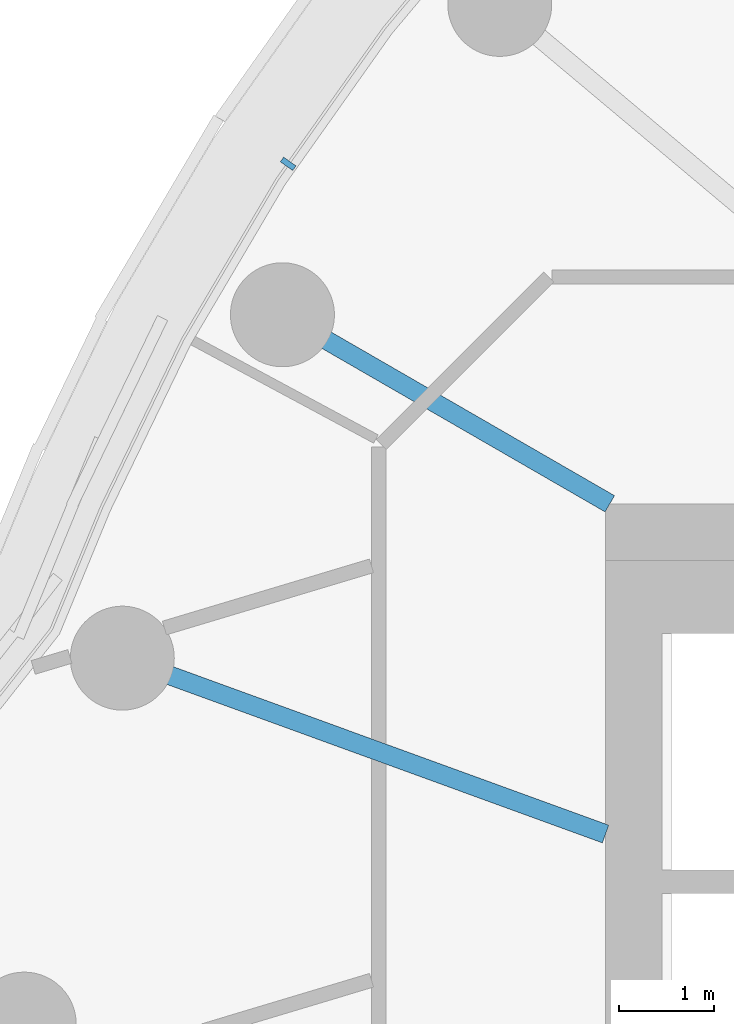
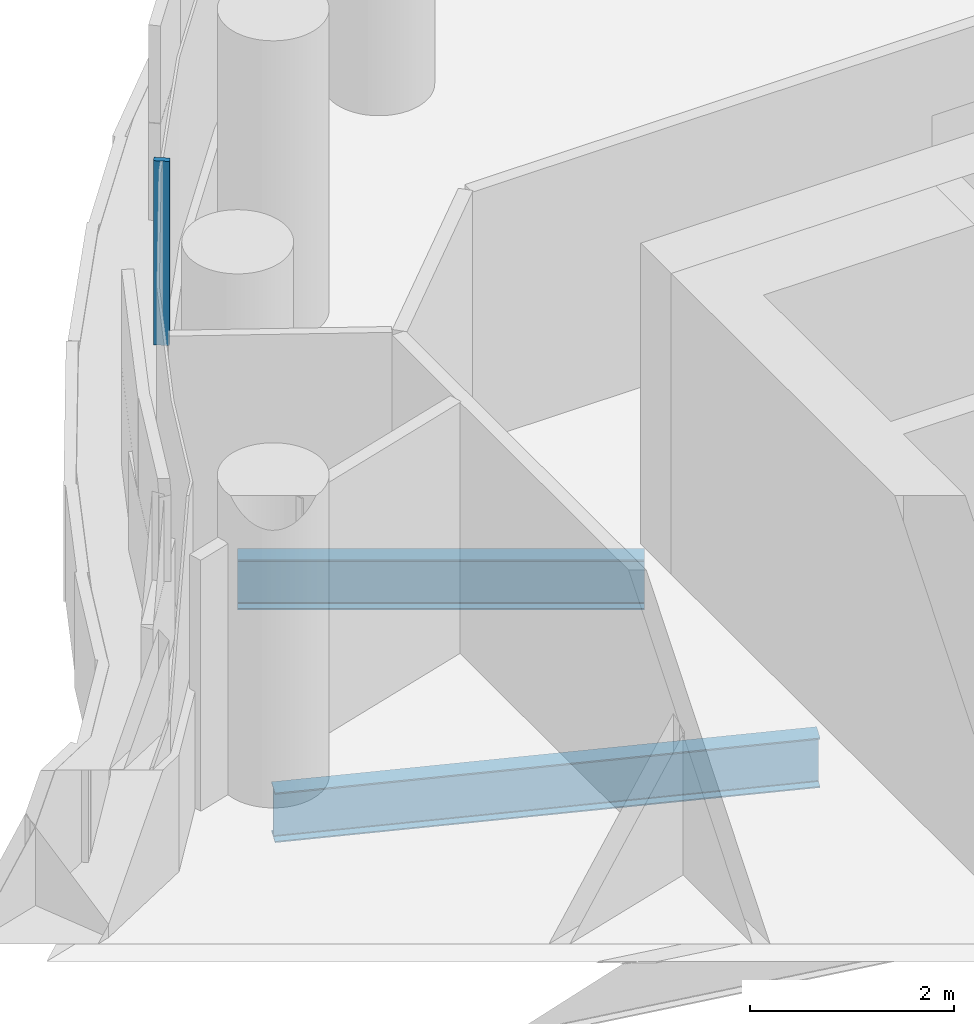
# One storey, part 7 of 32: 2 beams, 1 member, 1 element without a shape of its own.
"""IFC4 building model written with IfcOpenShell, lengths in metres."""

from ifc_helpers import new_model, si_unit, direction, frame, origin, origin_2d, place, context, subcontext, project, spatial, rectangle, i_section, extrude, material, layer, layer_set, material_profile, profile_set, type_object, element, aggregate, save


model = new_model("IFC4")

# Units and contexts
model_context = context("Model", 3, precision=1e-05, world=origin(), true_north=direction((0.0, 1.0)))
body_context = subcontext(model_context, "Body", "Model", "MODEL_VIEW")
ifc_project = project(units=[si_unit("LENGTHUNIT", "METRE"), si_unit("AREAUNIT", "SQUARE_METRE"), si_unit("VOLUMEUNIT", "CUBIC_METRE"), si_unit("PLANEANGLEUNIT", "RADIAN"), si_unit("MASSUNIT", "GRAM", prefix="KILO")], contexts=[model_context])

# Site, building, storey
site_placement = place(None, origin())
site = spatial("IfcSite", under=ifc_project, at=site_placement, CompositionType="ELEMENT")
building_placement = place(site_placement, origin())
building = spatial("IfcBuilding", under=site, at=building_placement, Name="Tamarind Cross Interchange Tower", CompositionType="ELEMENT")
storey_placement = place(building_placement, frame((0.0, 0.0, 94.75)))
storey = spatial("IfcBuildingStorey", under=building, at=storey_placement, Name="L22", CompositionType="ELEMENT", Elevation=94.75)

# Beams
ifc_material_1 = material(Name="Steel Q355B", Category="steel")
ifc_material_profile_1 = material_profile(ifc_material_1, i_section(OverallWidth=0.198974609375, OverallDepth=0.595947265625, WebThickness=0.010009765625, FlangeThickness=0.014892578125, FilletRadius=0.012939453125, at=origin_2d()), Name="HN 596x199x10x15")
ifc_profile_set_1 = profile_set([ifc_material_profile_1], Name="Steel Q355B")
beam_type = type_object("IfcBeamType", Name="Composite beam HN 596x199x10x15 Q355B", PredefinedType="BEAM", material=ifc_profile_set_1)
beam_1_placement = place(storey_placement, frame((-19.918701171875, 11.5, -0.43798828125), z_axis=(0.866026010844, -0.49999894854, 0.0), x_axis=(0.49999894854, 0.866026010844, 0.0)))
element("IfcBeam", 1, at=beam_1_placement, inside=storey, type_object=beam_type, Name="Beam HH15", PredefinedType="BEAM", context=body_context, shape_type="SweptSolid", body=[
    extrude(i_section(OverallWidth=0.198974609375, OverallDepth=0.595947265625, WebThickness=0.010009765625, FlangeThickness=0.014892578125, FilletRadius=0.012939453125, at=origin_2d()), origin(), (0.0, 0.0, 1.0), 4.0),
])
beam_2_placement = place(storey_placement, frame((-21.613037109375, 7.866455078125, -0.43798828125), z_axis=(0.939701685589, -0.341995236956, 0.0), x_axis=(0.341995236956, 0.939701685589, 0.0)))
element("IfcBeam", 2, at=beam_2_placement, inside=storey, type_object=beam_type, Name="Beam HH16", PredefinedType="BEAM", context=body_context, shape_type="SweptSolid", body=[
    extrude(i_section(OverallWidth=0.198974609375, OverallDepth=0.595947265625, WebThickness=0.010009765625, FlangeThickness=0.014892578125, FilletRadius=0.012939453125, at=origin_2d()), origin(), (0.0, 0.0, 1.0), 5.441162109375),
])

# Curtain wall, member
ifc_material_2 = material(Name="Aluminium 6063-T6", Category="aluminium")
ifc_layer = layer(ifc_material_2, 0.159912109375)
ifc_layer_set = layer_set([ifc_layer], Name="Aluminium 6063-T6")
curtain_wall_type = type_object("IfcCurtainWallType", Name="Office curtain wall, 9.0 m bays", PredefinedType="NOTDEFINED", material=ifc_layer_set)
curtain_wall_placement = place(storey_placement, origin())
curtain_wall = element("IfcCurtainWall", 3, at=curtain_wall_placement, inside=storey, type_object=curtain_wall_type, Name="CWS-L22-02", PredefinedType="NOTDEFINED")
ifc_material_profile_2 = material_profile(ifc_material_2, rectangle(XDim=0.06005859375, YDim=0.159912109375, at=origin_2d()), Name="Mullion CW1")
ifc_profile_set_2 = profile_set([ifc_material_profile_2], Name="Aluminium 6063-T6")
member_type = type_object("IfcMemberType", Name="Mullion CW1", PredefinedType="MULLION", material=ifc_profile_set_2)
member_placement = place(storey_placement, frame((-19.858154296875, 13.09716796875, 1.39990234375), z_axis=(0.0, 0.0, 1.0), x_axis=(-0.577568978284, -0.816341886298, 0.0)))
member = element("IfcMember", 4, at=member_placement, type_object=member_type, Name="CWM-L22-02-02", PredefinedType="MULLION", context=body_context, shape_type="SweptSolid", body=[
    extrude(rectangle(XDim=0.06005859375, YDim=0.159912109375, at=origin_2d()), origin(), (0.0, 0.0, 1.0), 2.210205078125),
])
aggregate(curtain_wall, [member])

save(model, "model.ifc")
